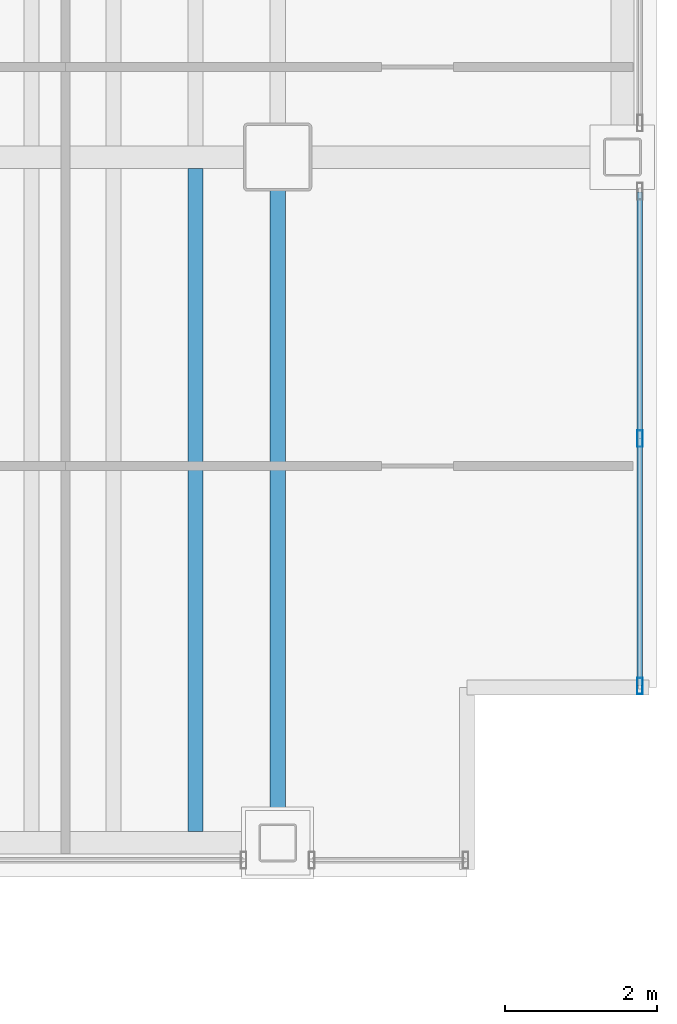
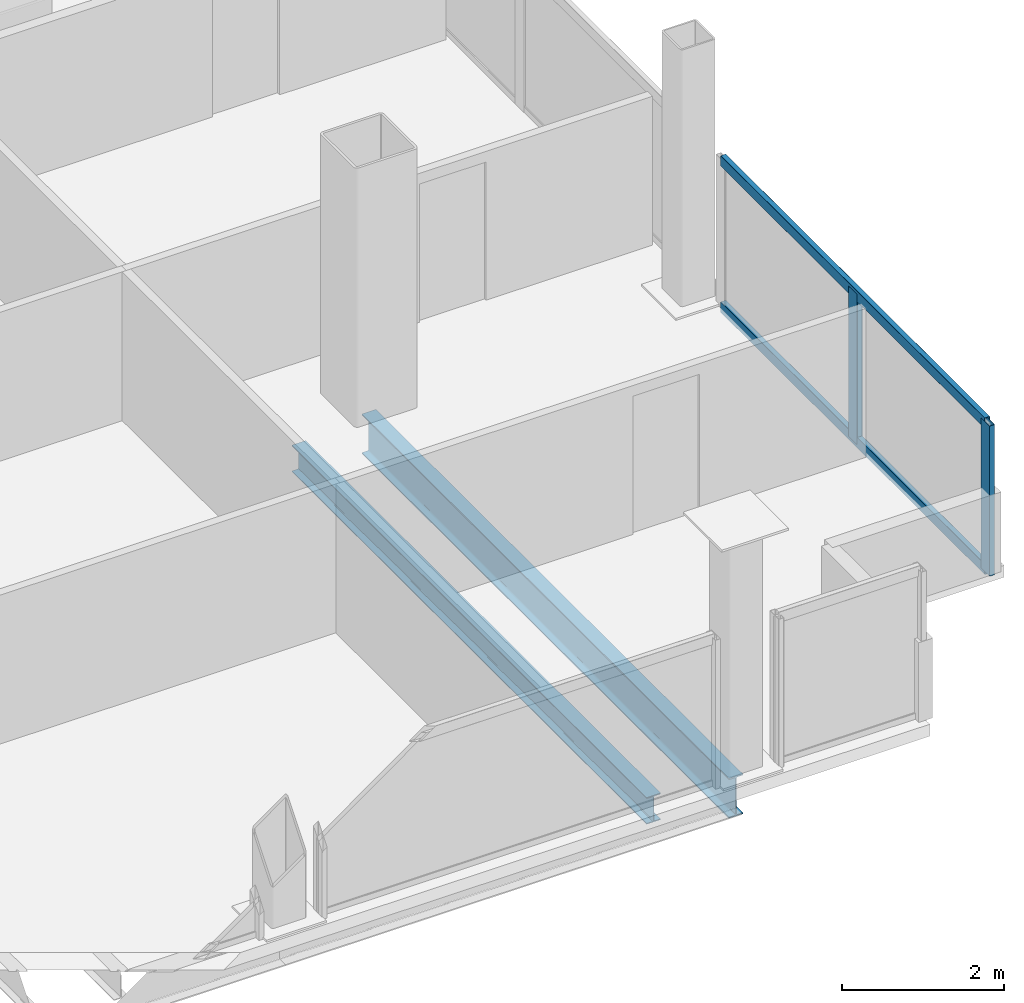
# One storey, part 14 of 22: 4 members, 2 beams, 1 element without a shape of its own.
"""IFC4 building model written with IfcOpenShell, lengths in metres."""

from ifc_helpers import new_model, si_unit, direction, frame, origin, origin_2d, place, context, subcontext, project, spatial, hollow_rectangle, i_section, extrude, material, material_profile, profile_set, type_object, element, aggregate, save


model = new_model("IFC4")

# Units and contexts
model_context = context("Model", 3, precision=1e-05, world=origin(), true_north=direction((0.0, 1.0)))
body_context = subcontext(model_context, "Body", "Model", "MODEL_VIEW")
ifc_project = project(units=[si_unit("LENGTHUNIT", "METRE"), si_unit("AREAUNIT", "SQUARE_METRE"), si_unit("VOLUMEUNIT", "CUBIC_METRE"), si_unit("PLANEANGLEUNIT", "RADIAN"), si_unit("MASSUNIT", "GRAM", prefix="KILO")], contexts=[model_context])

# Site, building, storey
site_placement = place(None, origin())
site = spatial("IfcSite", under=ifc_project, at=site_placement, CompositionType="ELEMENT")
building_placement = place(site_placement, origin())
building = spatial("IfcBuilding", under=site, at=building_placement, Name="Noeulbin Bourse Tower", CompositionType="ELEMENT")
storey_placement = place(building_placement, frame((0.0, 0.0, 138.300048828125)))
storey = spatial("IfcBuildingStorey", under=building, at=storey_placement, Name="L34", CompositionType="ELEMENT", Elevation=138.300048828125)

# Beams
ifc_material_1 = material(Name="Steel S355", Category="steel")
ifc_material_profile_1 = material_profile(ifc_material_1, i_section(OverallWidth=0.199951171875, OverallDepth=0.60009765625, WebThickness=0.010986328125, FlangeThickness=0.01708984375, FilletRadius=0.02197265625, at=origin_2d()), Name="H-600x200x11x17", Category="LoadBearing")
ifc_profile_set_1 = profile_set([ifc_material_profile_1], Name="Steel S355")
beam_type_1 = type_object("IfcBeamType", Name="BM-GRD-600", PredefinedType="USERDEFINED", material=ifc_profile_set_1)
beam_1_placement = place(storey_placement, frame((44.0, 10.949951171875, -0.47998046875), z_axis=(0.0, 1.0, 0.0), x_axis=(-1.0, 0.0, 0.0)))
element("IfcBeam", 1, at=beam_1_placement, inside=storey, type_object=beam_type_1, Name="Tower Primary Girder NS L34-5.1", ObjectType="GIRDER", PredefinedType="USERDEFINED", context=body_context, shape_type="SweptSolid", body=[
    extrude(i_section(OverallWidth=0.199951171875, OverallDepth=0.60009765625, WebThickness=0.010986328125, FlangeThickness=0.01708984375, FilletRadius=0.02197265625, at=origin_2d()), origin(), (0.0, 0.0, 1.0), 9.050048828125),
])
ifc_material_profile_2 = material_profile(ifc_material_1, i_section(OverallWidth=0.199951171875, OverallDepth=0.39990234375, WebThickness=0.008056640625, FlangeThickness=0.012939453125, FilletRadius=0.01611328125, at=origin_2d()), Name="H-400x200x8x13", Category="LoadBearing")
ifc_profile_set_2 = profile_set([ifc_material_profile_2], Name="Steel S355")
beam_type_2 = type_object("IfcBeamType", Name="BM-SEC-400", PredefinedType="BEAM", material=ifc_profile_set_2)
beam_2_placement = place(storey_placement, frame((42.916748046875, 11.10009765625, -0.380126953125), z_axis=(0.0, 1.0, 0.0), x_axis=(-1.0, 0.0, 0.0)))
element("IfcBeam", 2, at=beam_2_placement, inside=storey, type_object=beam_type_2, Name="Tower Composite Joist L34-45", PredefinedType="BEAM", context=body_context, shape_type="SweptSolid", body=[
    extrude(i_section(OverallWidth=0.199951171875, OverallDepth=0.39990234375, WebThickness=0.008056640625, FlangeThickness=0.012939453125, FilletRadius=0.01611328125, at=origin_2d()), origin(), (0.0, 0.0, 1.0), 8.75),
])

# Curtain wall, members
ifc_material_2 = material(Name="Dark Tinted Triple Glazing", Category="glass")
curtain_wall_type = type_object("IfcCurtainWallType", Name="CW-SYS-3", PredefinedType="NOTDEFINED", material=ifc_material_2)
curtain_wall_placement = place(storey_placement, origin())
curtain_wall = element("IfcCurtainWall", 3, at=curtain_wall_placement, inside=storey, type_object=curtain_wall_type, Name="Unitised Curtain Wall CW-L34-E-S1", PredefinedType="NOTDEFINED")
ifc_material_3 = material(Name="Anodised Aluminium 6063-T6", Category="aluminium")
ifc_material_profile_3 = material_profile(ifc_material_3, hollow_rectangle(XDim=0.074951171875, YDim=0.219970703125, WallThickness=0.0048828125, InnerFilletRadius=0.00244140625, OuterFilletRadius=0.0048828125, at=origin_2d()), Name="ALU-MULL-75x220x5", Category="LoadBearing")
ifc_profile_set_3 = profile_set([ifc_material_profile_3], Name="Anodised Aluminium 6063-T6")
member_type_1 = type_object("IfcMemberType", Name="CW-SYS-3-MUL", PredefinedType="MULLION", material=ifc_profile_set_3)
member_1_placement = place(storey_placement, frame((48.780029296875, 13.02001953125, -0.02001953125), z_axis=(0.0, 0.0, 1.0), x_axis=(1.0, 0.0, 0.0)))
member_1 = element("IfcMember", 4, at=member_1_placement, type_object=member_type_1, Name="Curtain Wall Mullion CW-L34-E-S1-M00", PredefinedType="MULLION", context=body_context, shape_type="SweptSolid", body=[
    extrude(hollow_rectangle(XDim=0.074951171875, YDim=0.219970703125, WallThickness=0.0048828125, InnerFilletRadius=0.00244140625, OuterFilletRadius=0.0048828125, at=origin_2d()), origin(), (0.0, 0.0, 1.0), 2.260009765625),
])
member_2_placement = place(storey_placement, frame((48.780029296875, 16.284912109375, -0.02001953125), z_axis=(0.0, 0.0, 1.0), x_axis=(1.0, 0.0, 0.0)))
member_2 = element("IfcMember", 5, at=member_2_placement, type_object=member_type_1, Name="Curtain Wall Mullion CW-L34-E-S1-M01", PredefinedType="MULLION", context=body_context, shape_type="SweptSolid", body=[
    extrude(hollow_rectangle(XDim=0.074951171875, YDim=0.219970703125, WallThickness=0.0048828125, InnerFilletRadius=0.00244140625, OuterFilletRadius=0.0048828125, at=origin_2d()), origin(), (0.0, 0.0, 1.0), 2.260009765625),
])
ifc_material_profile_4 = material_profile(ifc_material_3, hollow_rectangle(XDim=0.074951171875, YDim=0.159912109375, WallThickness=0.0048828125, InnerFilletRadius=0.00244140625, OuterFilletRadius=0.0048828125, at=origin_2d()), Name="ALU-TRAN-75x160x5", Category="LoadBearing")
ifc_profile_set_4 = profile_set([ifc_material_profile_4], Name="Anodised Aluminium 6063-T6")
member_type_2 = type_object("IfcMemberType", Name="CW-SYS-3-TRN", PredefinedType="USERDEFINED", material=ifc_profile_set_4)
member_3_placement = place(storey_placement, frame((48.780029296875, 13.030029296875, 0.010009765625), z_axis=(0.0, 1.0, 0.0), x_axis=(-1.0, 0.0, 0.0)))
member_3 = element("IfcMember", 6, at=member_3_placement, type_object=member_type_2, Name="Curtain Wall Transom CW-L34-E-S1-T00", ObjectType="TRANSOM", PredefinedType="USERDEFINED", context=body_context, shape_type="SweptSolid", body=[
    extrude(hollow_rectangle(XDim=0.074951171875, YDim=0.159912109375, WallThickness=0.0048828125, InnerFilletRadius=0.00244140625, OuterFilletRadius=0.0048828125, at=origin_2d()), origin(), (0.0, 0.0, 1.0), 6.510009765625),
])
member_4_placement = place(storey_placement, frame((48.780029296875, 13.030029296875, 2.2099609375), z_axis=(0.0, 1.0, 0.0), x_axis=(-1.0, 0.0, 0.0)))
member_4 = element("IfcMember", 7, at=member_4_placement, type_object=member_type_2, Name="Curtain Wall Transom CW-L34-E-S1-T01", ObjectType="TRANSOM", PredefinedType="USERDEFINED", context=body_context, shape_type="SweptSolid", body=[
    extrude(hollow_rectangle(XDim=0.074951171875, YDim=0.159912109375, WallThickness=0.0048828125, InnerFilletRadius=0.00244140625, OuterFilletRadius=0.0048828125, at=origin_2d()), origin(), (0.0, 0.0, 1.0), 6.510009765625),
])
aggregate(curtain_wall, [member_1, member_2, member_3, member_4])

save(model, "model.ifc")
